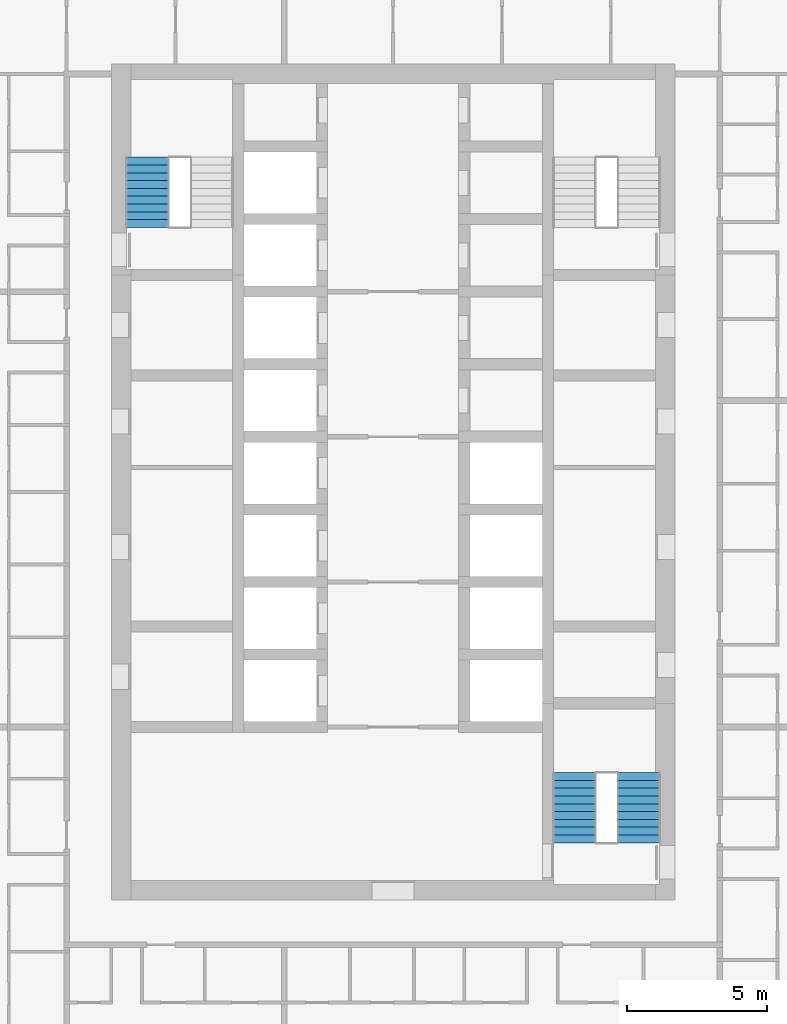
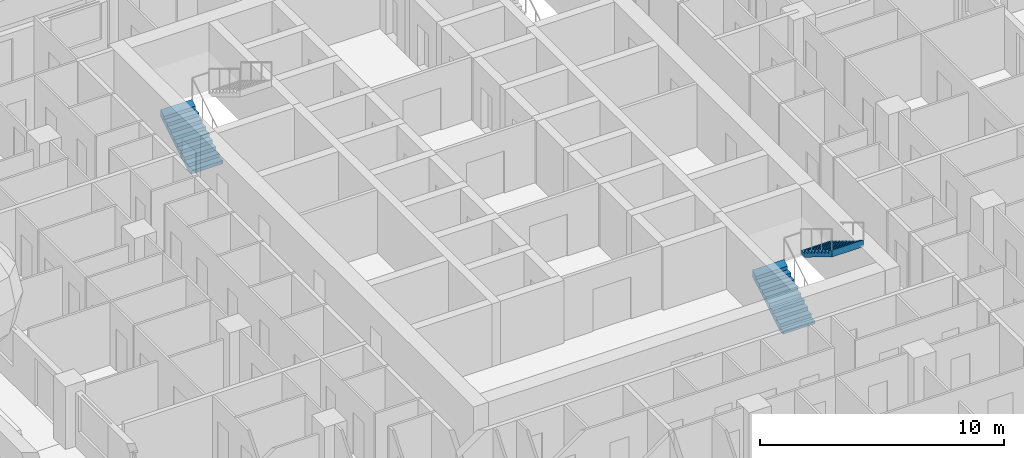
# One storey, part 14 of 18: 3 stair flights, 2 elements without a shape of their own.
"""IFC4 building model written with IfcOpenShell, lengths in metres."""

import ifcopenshell
import ifcopenshell.guid

model = None  # the IFC model being written
_history = None  # IfcOwnerHistory: only IFC2X3 demands one
_inside = {}  # id of a spatial element -> (the spatial element, [elements in it])
_under = {}  # id of a project, library or spatial element -> (it, [spatial elements below it])
_declared = {}  # id of a project -> (the project, [libraries it declares])
_typed = {}  # id of a type object -> (the type object, [elements of that type])
_made_of = {}  # id of a material, layer set ... -> (it, [elements and type objects made of it])


def new_model(schema):
    """Start an empty IFC model of exactly this schema.

    Asked for "IFC4X3", IfcOpenShell would pick the latest addendum, in which some entities
    have other attributes; the version numbers below select the first issue.
    IFC2X3 requires an IfcOwnerHistory on every rooted entity: one is made here for all.
    """
    global model, _history
    if schema == "IFC4X3":
        model = ifcopenshell.file(schema_version=(4, 3, 0, 0))
    else:
        model = ifcopenshell.file(schema=schema)
    _inside.clear()
    _under.clear()
    _declared.clear()
    _typed.clear()
    _made_of.clear()
    _history = None
    if model.schema == "IFC2X3":
        org = make("IfcOrganization", Name="unknown")
        user = make(
            "IfcPersonAndOrganization",
            ThePerson=make("IfcPerson", FamilyName="unknown"),
            TheOrganization=org,
        )
        app = make(
            "IfcApplication",
            ApplicationDeveloper=org,
            Version="unknown",
            ApplicationFullName="unknown",
            ApplicationIdentifier="unknown",
        )
        _history = make(
            "IfcOwnerHistory",
            OwningUser=user,
            OwningApplication=app,
            ChangeAction="ADDED",
            CreationDate=0,
        )
    return model


def make(cls, **values):
    """One entity of the class cls with the attributes given. An attribute that is None is left unset."""
    return model.create_entity(
        cls, **{name: value for name, value in values.items() if value is not None}
    )


def rooted(cls, **values):
    """An entity with a GlobalId (a new one), such as an element, a storey or a relation."""
    return make(cls, GlobalId=ifcopenshell.guid.new(), OwnerHistory=_history, **values)


def si_unit(unit_type, name, prefix=None):
    """IfcSIUnit, for example si_unit("LENGTHUNIT", "METRE", prefix="MILLI")."""
    return make("IfcSIUnit", UnitType=unit_type, Prefix=prefix, Name=name)


def assignment(units):
    """IfcUnitAssignment: the units of a project."""
    return None if units is None else make("IfcUnitAssignment", Units=units)


def point(xyz):
    """IfcCartesianPoint."""
    return None if xyz is None else make("IfcCartesianPoint", Coordinates=xyz)


def direction(xyz):
    """IfcDirection."""
    return None if xyz is None else make("IfcDirection", DirectionRatios=xyz)


def frame(location, z_axis=None, x_axis=None):
    """IfcAxis2Placement3D, a coordinate frame: its origin and axes. An axis left out is left unset."""
    return make(
        "IfcAxis2Placement3D",
        Location=point(location),
        Axis=direction(z_axis),
        RefDirection=direction(x_axis),
    )


def origin():
    """The frame at (0, 0, 0) with its axes left unset."""
    return frame((0.0, 0.0, 0.0))


def place(relative_to, where):
    """IfcLocalPlacement: puts the frame where relative to a parent placement (None: the world)."""
    return make(
        "IfcLocalPlacement", PlacementRelTo=relative_to, RelativePlacement=where
    )


def context(
    kind, dimensions, precision=None, world=None, true_north=None, identifier=None
):
    """IfcGeometricRepresentationContext, for example the 3D "Model" context."""
    return make(
        "IfcGeometricRepresentationContext",
        ContextIdentifier=identifier,
        ContextType=kind,
        CoordinateSpaceDimension=dimensions,
        Precision=precision,
        WorldCoordinateSystem=world,
        TrueNorth=true_north,
    )


def subcontext(parent, identifier, kind, view, scale=None):
    """IfcGeometricRepresentationSubContext, for example "Body" below "Model"."""
    return make(
        "IfcGeometricRepresentationSubContext",
        ContextIdentifier=identifier,
        ContextType=kind,
        ParentContext=parent,
        TargetScale=scale,
        TargetView=view,
    )


def project(units=None, contexts=None):
    """IfcProject with its units and contexts."""
    return rooted(
        "IfcProject",
        Name="project",
        RepresentationContexts=contexts,
        UnitsInContext=assignment(units),
    )


def spatial(cls, under=None, at=None, **own):
    """A site, building, storey or space (cls), placed at a placement, below another one or the project."""
    s = rooted(cls, ObjectPlacement=at, **own)
    if under is not None:
        _under.setdefault(under.id(), (under, []))[1].append(s)
    return s


def point_list(points):
    """IfcCartesianPointList2D or 3D."""
    cls = (
        "IfcCartesianPointList2D" if len(points[0]) == 2 else "IfcCartesianPointList3D"
    )
    return make(cls, CoordList=points)


def triangles(points, corners, closed=None, point_numbers=None):
    """IfcTriangulatedFaceSet: each triangle names its three corners, points numbered from 1."""
    return make(
        "IfcTriangulatedFaceSet",
        Coordinates=point_list(points),
        Closed=closed,
        CoordIndex=corners,
        PnIndex=point_numbers,
    )


def shape(context_of_items, identifier, shape_type, items):
    """IfcShapeRepresentation: the items that make up one representation, for example the "Body"."""
    return make(
        "IfcShapeRepresentation",
        ContextOfItems=context_of_items,
        RepresentationIdentifier=identifier,
        RepresentationType=shape_type,
        Items=items,
    )


def material(Name=None, Category=None):
    """IfcMaterial."""
    return make("IfcMaterial", Name=Name, Category=Category)


def made_of(thing, what):
    """Note that an element or type object is made of a material, layer set ...; save() writes the relation."""
    if what is not None:
        _made_of.setdefault(what.id(), (what, []))[1].append(thing)
    return thing


def type_object(cls, material=None, **own):
    """A type object (cls), such as IfcWallType, which elements share."""
    return made_of(rooted(cls, **own), material)


def element(
    cls,
    number,
    at=None,
    inside=None,
    cuts=None,
    type_object=None,
    material=None,
    context=None,
    identifier="Body",
    shape_type=None,
    held_by="IfcProductDefinitionShape",
    body=None,
    shapes=None,
    **own,
):
    """One element of the class cls, such as IfcWall. Its Tag is "e" and its number.

    at: its placement. inside: the storey or other place that contains it. cuts: it is an
    opening in that element (IfcRelVoidsElement). A single representation is given by context,
    identifier, shape_type and body (its items); several are given by shapes. held_by: the class
    of the entity that holds the representations. save() writes the other relations.
    """
    e = rooted(cls, Tag="e%d" % number, ObjectPlacement=at, **own)
    if body is not None:
        shapes = [shape(context, identifier, shape_type, body)]
    if shapes is not None:
        e.Representation = make(held_by, Representations=shapes)
    if inside is not None:
        _inside.setdefault(inside.id(), (inside, []))[1].append(e)
    if cuts is not None:
        rooted(
            "IfcRelVoidsElement", RelatingBuildingElement=cuts, RelatedOpeningElement=e
        )
    if type_object is not None:
        _typed.setdefault(type_object.id(), (type_object, []))[1].append(e)
    return made_of(e, material)


def aggregate(whole, parts):
    """IfcRelAggregates: a whole, such as a stair, and the parts it consists of."""
    return rooted("IfcRelAggregates", RelatingObject=whole, RelatedObjects=parts)


def save(model, path):
    """Write the relations noted so far, then the file.

    IfcRelAggregates (storeys below a building ...), IfcRelContainedInSpatialStructure (elements
    in a storey), IfcRelDefinesByType, IfcRelAssociatesMaterial and IfcRelDeclares: one each for
    every whole, place, type object, material and project.
    """
    for whole, parts in _under.values():
        aggregate(whole, parts)
    for where, things in _inside.values():
        rooted(
            "IfcRelContainedInSpatialStructure",
            RelatedElements=things,
            RelatingStructure=where,
        )
    for kind, things in _typed.values():
        rooted("IfcRelDefinesByType", RelatedObjects=things, RelatingType=kind)
    for what, things in _made_of.values():
        rooted("IfcRelAssociatesMaterial", RelatedObjects=things, RelatingMaterial=what)
    for by, libraries in _declared.values():
        rooted("IfcRelDeclares", RelatingContext=by, RelatedDefinitions=libraries)
    model.write(path)


model = new_model("IFC4")

# Units and contexts
model_context = context("Model", 3, precision=1e-05, world=origin(), true_north=direction((0.0, 1.0)))
body_context = subcontext(model_context, "Body", "Model", "MODEL_VIEW")
ifc_project = project(units=[si_unit("LENGTHUNIT", "METRE"), si_unit("AREAUNIT", "SQUARE_METRE"), si_unit("VOLUMEUNIT", "CUBIC_METRE"), si_unit("PLANEANGLEUNIT", "RADIAN"), si_unit("MASSUNIT", "GRAM", prefix="KILO")], contexts=[model_context])

# Site, building, storey
site_placement = place(None, origin())
site = spatial("IfcSite", under=ifc_project, at=site_placement, CompositionType="ELEMENT")
building_placement = place(site_placement, origin())
building = spatial("IfcBuilding", under=site, at=building_placement, Name="Ludao Terraces", CompositionType="ELEMENT")
storey_placement = place(building_placement, frame((0.0, 0.0, 58.0)))
storey = spatial("IfcBuildingStorey", under=building, at=storey_placement, Name="L15", CompositionType="ELEMENT", Elevation=58.0)

# Stair, stair flight
ifc_material = material(Name="Concrete C40", Category="concrete")
stair_type = type_object("IfcStairType", Name="INT Stair", PredefinedType="HALF_TURN_STAIR", material=ifc_material)
stair_1_placement = place(storey_placement, origin())
stair_1 = element("IfcStair", 1, at=stair_1_placement, inside=storey, type_object=stair_type, Name="EXIT STAIR 1", PredefinedType="HALF_TURN_STAIR")
stair_flight_type = type_object("IfcStairFlightType", Name="INT Stair flight", PredefinedType="STRAIGHT", material=ifc_material)
stair_flight_1_placement = place(storey_placement, frame((76.199951171875, 79.0, 0.0), z_axis=(0.0, 0.0, 1.0), x_axis=(0.0, 1.0, 0.0)))
stair_flight_1 = element("IfcStairFlight", 2, at=stair_flight_1_placement, type_object=stair_flight_type, Name="ST1 flight 1", NumberOfRisers=10, NumberOfTreads=9, PredefinedType="STRAIGHT", RiserHeight=0.17, TreadLength=0.28, context=body_context, shape_type="Tessellation", body=[
    triangles([(0.0, -0.75, 0.0), (0.0, -0.5, 0.0), (0.0, -0.25, 0.0), (0.0, 0.0, 0.0), (0.0, 0.25, 0.0), (0.0, 0.5, 0.0), (0.0, 0.75, 0.0), (0.0, -0.75, 0.169921875), (0.0, -0.5, 0.169921875), (0.0, -0.25, 0.169921875), (0.0, 0.0, 0.169921875), (0.0, 0.25, 0.169921875), (0.0, 0.5, 0.169921875), (0.0, 0.75, 0.169921875), (0.280029296875, -0.75, 0.169921875), (0.280029296875, -0.5, 0.169921875), (0.280029296875, -0.25, 0.169921875), (0.280029296875, 0.0, 0.169921875), (0.280029296875, 0.25, 0.169921875), (0.280029296875, 0.5, 0.169921875), (0.280029296875, 0.75, 0.169921875), (0.280029296875, -0.75, 0.340087890625), (0.280029296875, -0.5, 0.340087890625), (0.280029296875, -0.25, 0.340087890625), (0.280029296875, 0.0, 0.340087890625), (0.280029296875, 0.25, 0.340087890625), (0.280029296875, 0.5, 0.340087890625), (0.280029296875, 0.75, 0.340087890625), (0.56005859375, -0.75, 0.340087890625), (0.56005859375, -0.5, 0.340087890625), (0.56005859375, -0.25, 0.340087890625), (0.56005859375, 0.0, 0.340087890625), (0.56005859375, 0.25, 0.340087890625), (0.56005859375, 0.5, 0.340087890625), (0.56005859375, 0.75, 0.340087890625), (0.56005859375, -0.75, 0.510009765625), (0.56005859375, -0.5, 0.510009765625), (0.56005859375, -0.25, 0.510009765625), (0.56005859375, 0.0, 0.510009765625), (0.56005859375, 0.25, 0.510009765625), (0.56005859375, 0.5, 0.510009765625), (0.56005859375, 0.75, 0.510009765625), (0.840087890625, -0.75, 0.510009765625), (0.840087890625, -0.5, 0.510009765625), (0.840087890625, -0.25, 0.510009765625), (0.840087890625, 0.0, 0.510009765625), (0.840087890625, 0.25, 0.510009765625), (0.840087890625, 0.5, 0.510009765625), (0.840087890625, 0.75, 0.510009765625), (0.840087890625, -0.75, 0.679931640625), (0.840087890625, -0.5, 0.679931640625), (0.840087890625, -0.25, 0.679931640625), (0.840087890625, 0.0, 0.679931640625), (0.840087890625, 0.25, 0.679931640625), (0.840087890625, 0.5, 0.679931640625), (0.840087890625, 0.75, 0.679931640625), (1.1201171875, -0.75, 0.679931640625), (1.1201171875, -0.5, 0.679931640625), (1.1201171875, -0.25, 0.679931640625), (1.1201171875, 0.0, 0.679931640625), (1.1201171875, 0.25, 0.679931640625), (1.1201171875, 0.5, 0.679931640625), (1.1201171875, 0.75, 0.679931640625), (1.1201171875, -0.75, 0.85009765625), (1.1201171875, -0.5, 0.85009765625), (1.1201171875, -0.25, 0.85009765625), (1.1201171875, 0.0, 0.85009765625), (1.1201171875, 0.25, 0.85009765625), (1.1201171875, 0.5, 0.85009765625), (1.1201171875, 0.75, 0.85009765625), (1.39990234375, -0.75, 0.85009765625), (1.39990234375, -0.5, 0.85009765625), (1.39990234375, -0.25, 0.85009765625), (1.39990234375, 0.0, 0.85009765625), (1.39990234375, 0.25, 0.85009765625), (1.39990234375, 0.5, 0.85009765625), (1.39990234375, 0.75, 0.85009765625), (1.39990234375, -0.75, 1.02001953125), (1.39990234375, -0.5, 1.02001953125), (1.39990234375, -0.25, 1.02001953125), (1.39990234375, 0.0, 1.02001953125), (1.39990234375, 0.25, 1.02001953125), (1.39990234375, 0.5, 1.02001953125), (1.39990234375, 0.75, 1.02001953125), (1.679931640625, -0.75, 1.02001953125), (1.679931640625, -0.5, 1.02001953125), (1.679931640625, -0.25, 1.02001953125), (1.679931640625, 0.0, 1.02001953125), (1.679931640625, 0.25, 1.02001953125), (1.679931640625, 0.5, 1.02001953125), (1.679931640625, 0.75, 1.02001953125), (1.679931640625, -0.75, 1.18994140625), (1.679931640625, -0.5, 1.18994140625), (1.679931640625, -0.25, 1.18994140625), (1.679931640625, 0.0, 1.18994140625), (1.679931640625, 0.25, 1.18994140625), (1.679931640625, 0.5, 1.18994140625), (1.679931640625, 0.75, 1.18994140625), (1.9599609375, -0.75, 1.18994140625), (1.9599609375, -0.5, 1.18994140625), (1.9599609375, -0.25, 1.18994140625), (1.9599609375, 0.0, 1.18994140625), (1.9599609375, 0.25, 1.18994140625), (1.9599609375, 0.5, 1.18994140625), (1.9599609375, 0.75, 1.18994140625), (1.9599609375, -0.75, 1.360107421875), (1.9599609375, -0.5, 1.360107421875), (1.9599609375, -0.25, 1.360107421875), (1.9599609375, 0.0, 1.360107421875), (1.9599609375, 0.25, 1.360107421875), (1.9599609375, 0.5, 1.360107421875), (1.9599609375, 0.75, 1.360107421875), (2.239990234375, -0.75, 1.360107421875), (2.239990234375, -0.5, 1.360107421875), (2.239990234375, -0.25, 1.360107421875), (2.239990234375, 0.0, 1.360107421875), (2.239990234375, 0.25, 1.360107421875), (2.239990234375, 0.5, 1.360107421875), (2.239990234375, 0.75, 1.360107421875), (2.239990234375, -0.75, 1.530029296875), (2.239990234375, -0.5, 1.530029296875), (2.239990234375, -0.25, 1.530029296875), (2.239990234375, 0.0, 1.530029296875), (2.239990234375, 0.25, 1.530029296875), (2.239990234375, 0.5, 1.530029296875), (2.239990234375, 0.75, 1.530029296875), (2.52001953125, -0.75, 1.699951171875), (2.52001953125, -0.5, 1.699951171875), (2.52001953125, -0.25, 1.699951171875), (2.52001953125, 0.0, 1.699951171875), (2.52001953125, 0.25, 1.699951171875), (2.52001953125, 0.5, 1.699951171875), (2.52001953125, 0.75, 1.699951171875), (2.52001953125, -0.75, 1.354736328125), (2.52001953125, -0.5, 1.354736328125), (2.52001953125, -0.25, 1.354736328125), (2.52001953125, 0.0, 1.354736328125), (2.52001953125, 0.25, 1.354736328125), (2.52001953125, 0.5, 1.354736328125), (2.52001953125, 0.75, 1.354736328125), (0.288818359375, -0.75, 0.0), (0.288818359375, -0.5, 0.0), (0.288818359375, -0.25, 0.0), (0.288818359375, 0.0, 0.0), (0.288818359375, 0.25, 0.0), (0.288818359375, 0.5, 0.0), (0.288818359375, 0.75, 0.0)], [[1, 141, 134], [7, 140, 147], [134, 127, 120], [140, 126, 133], [134, 120, 113], [140, 119, 126], [134, 113, 106], [140, 112, 119], [134, 106, 99], [140, 105, 112], [99, 92, 85], [105, 91, 98], [134, 99, 85], [140, 91, 105], [85, 78, 71], [91, 77, 84], [134, 85, 71], [140, 77, 91], [71, 64, 57], [77, 63, 70], [134, 71, 57], [140, 63, 77], [57, 50, 43], [63, 49, 56], [134, 57, 43], [140, 49, 63], [43, 36, 29], [49, 35, 42], [134, 43, 29], [140, 35, 49], [29, 22, 15], [35, 21, 28], [134, 29, 15], [140, 21, 35], [1, 134, 15], [7, 21, 140], [15, 8, 1], [21, 7, 14], [1, 9, 2], [1, 8, 9], [2, 10, 3], [2, 9, 10], [3, 11, 4], [3, 10, 11], [4, 12, 5], [4, 11, 12], [5, 13, 6], [5, 12, 13], [6, 14, 7], [6, 13, 14], [8, 16, 9], [8, 15, 16], [9, 17, 10], [9, 16, 17], [10, 18, 11], [10, 17, 18], [11, 19, 12], [11, 18, 19], [12, 20, 13], [12, 19, 20], [13, 21, 14], [13, 20, 21], [15, 23, 16], [15, 22, 23], [16, 24, 17], [16, 23, 24], [17, 25, 18], [17, 24, 25], [18, 26, 19], [18, 25, 26], [19, 27, 20], [19, 26, 27], [20, 28, 21], [20, 27, 28], [22, 30, 23], [22, 29, 30], [23, 31, 24], [23, 30, 31], [24, 32, 25], [24, 31, 32], [25, 33, 26], [25, 32, 33], [26, 34, 27], [26, 33, 34], [27, 35, 28], [27, 34, 35], [29, 37, 30], [29, 36, 37], [30, 38, 31], [30, 37, 38], [31, 39, 32], [31, 38, 39], [32, 40, 33], [32, 39, 40], [33, 41, 34], [33, 40, 41], [34, 42, 35], [34, 41, 42], [36, 44, 37], [36, 43, 44], [37, 45, 38], [37, 44, 45], [38, 46, 39], [38, 45, 46], [39, 47, 40], [39, 46, 47], [40, 48, 41], [40, 47, 48], [41, 49, 42], [41, 48, 49], [43, 51, 44], [43, 50, 51], [44, 52, 45], [44, 51, 52], [45, 53, 46], [45, 52, 53], [46, 54, 47], [46, 53, 54], [47, 55, 48], [47, 54, 55], [48, 56, 49], [48, 55, 56], [50, 58, 51], [50, 57, 58], [51, 59, 52], [51, 58, 59], [52, 60, 53], [52, 59, 60], [53, 61, 54], [53, 60, 61], [54, 62, 55], [54, 61, 62], [55, 63, 56], [55, 62, 63], [57, 65, 58], [57, 64, 65], [58, 66, 59], [58, 65, 66], [59, 67, 60], [59, 66, 67], [60, 68, 61], [60, 67, 68], [61, 69, 62], [61, 68, 69], [62, 70, 63], [62, 69, 70], [64, 72, 65], [64, 71, 72], [65, 73, 66], [65, 72, 73], [66, 74, 67], [66, 73, 74], [67, 75, 68], [67, 74, 75], [68, 76, 69], [68, 75, 76], [69, 77, 70], [69, 76, 77], [71, 79, 72], [71, 78, 79], [72, 80, 73], [72, 79, 80], [73, 81, 74], [73, 80, 81], [74, 82, 75], [74, 81, 82], [75, 83, 76], [75, 82, 83], [76, 84, 77], [76, 83, 84], [78, 86, 79], [78, 85, 86], [79, 87, 80], [79, 86, 87], [80, 88, 81], [80, 87, 88], [81, 89, 82], [81, 88, 89], [82, 90, 83], [82, 89, 90], [83, 91, 84], [83, 90, 91], [85, 93, 86], [85, 92, 93], [86, 94, 87], [86, 93, 94], [87, 95, 88], [87, 94, 95], [88, 96, 89], [88, 95, 96], [89, 97, 90], [89, 96, 97], [90, 98, 91], [90, 97, 98], [92, 100, 93], [92, 99, 100], [93, 101, 94], [93, 100, 101], [94, 102, 95], [94, 101, 102], [95, 103, 96], [95, 102, 103], [96, 104, 97], [96, 103, 104], [97, 105, 98], [97, 104, 105], [99, 107, 100], [99, 106, 107], [100, 108, 101], [100, 107, 108], [101, 109, 102], [101, 108, 109], [102, 110, 103], [102, 109, 110], [103, 111, 104], [103, 110, 111], [104, 112, 105], [104, 111, 112], [106, 114, 107], [106, 113, 114], [107, 115, 108], [107, 114, 115], [108, 116, 109], [108, 115, 116], [109, 117, 110], [109, 116, 117], [110, 118, 111], [110, 117, 118], [111, 119, 112], [111, 118, 119], [113, 121, 114], [113, 120, 121], [114, 122, 115], [114, 121, 122], [115, 123, 116], [115, 122, 123], [116, 124, 117], [116, 123, 124], [117, 125, 118], [117, 124, 125], [118, 126, 119], [118, 125, 126], [120, 128, 121], [120, 127, 128], [121, 129, 122], [121, 128, 129], [122, 130, 123], [122, 129, 130], [123, 131, 124], [123, 130, 131], [124, 132, 125], [124, 131, 132], [125, 133, 126], [125, 132, 133], [127, 135, 128], [127, 134, 135], [128, 136, 129], [128, 135, 136], [129, 137, 130], [129, 136, 137], [130, 138, 131], [130, 137, 138], [131, 139, 132], [131, 138, 139], [132, 140, 133], [132, 139, 140], [134, 142, 135], [134, 141, 142], [135, 143, 136], [135, 142, 143], [136, 144, 137], [136, 143, 144], [137, 145, 138], [137, 144, 145], [138, 146, 139], [138, 145, 146], [139, 147, 140], [139, 146, 147], [141, 2, 142], [141, 1, 2], [142, 3, 143], [142, 2, 3], [143, 4, 144], [143, 3, 4], [144, 5, 145], [144, 4, 5], [145, 6, 146], [145, 5, 6], [146, 7, 147], [146, 6, 7]], closed=True),
])
aggregate(stair_1, [stair_flight_1])

# Stair, stair flights
stair_2_placement = place(storey_placement, origin())
stair_2 = element("IfcStair", 3, at=stair_2_placement, inside=storey, type_object=stair_type, Name="EXIT STAIR 3", PredefinedType="HALF_TURN_STAIR")
stair_flight_2_placement = place(storey_placement, frame((91.5, 56.949951171875, 0.0), z_axis=(0.0, 0.0, 1.0), x_axis=(0.0, 1.0, 0.0)))
stair_flight_2 = element("IfcStairFlight", 4, at=stair_flight_2_placement, type_object=stair_flight_type, Name="ST3 flight 1", NumberOfRisers=10, NumberOfTreads=9, PredefinedType="STRAIGHT", RiserHeight=0.17, TreadLength=0.28, context=body_context, shape_type="Tessellation", body=[
    triangles([(0.0, -0.75, 0.0), (0.0, -0.5, 0.0), (0.0, -0.25, 0.0), (0.0, 0.0, 0.0), (0.0, 0.25, 0.0), (0.0, 0.5, 0.0), (0.0, 0.75, 0.0), (0.0, -0.75, 0.169921875), (0.0, -0.5, 0.169921875), (0.0, -0.25, 0.169921875), (0.0, 0.0, 0.169921875), (0.0, 0.25, 0.169921875), (0.0, 0.5, 0.169921875), (0.0, 0.75, 0.169921875), (0.280029296875, -0.75, 0.169921875), (0.280029296875, -0.5, 0.169921875), (0.280029296875, -0.25, 0.169921875), (0.280029296875, 0.0, 0.169921875), (0.280029296875, 0.25, 0.169921875), (0.280029296875, 0.5, 0.169921875), (0.280029296875, 0.75, 0.169921875), (0.280029296875, -0.75, 0.340087890625), (0.280029296875, -0.5, 0.340087890625), (0.280029296875, -0.25, 0.340087890625), (0.280029296875, 0.0, 0.340087890625), (0.280029296875, 0.25, 0.340087890625), (0.280029296875, 0.5, 0.340087890625), (0.280029296875, 0.75, 0.340087890625), (0.56005859375, -0.75, 0.340087890625), (0.56005859375, -0.5, 0.340087890625), (0.56005859375, -0.25, 0.340087890625), (0.56005859375, 0.0, 0.340087890625), (0.56005859375, 0.25, 0.340087890625), (0.56005859375, 0.5, 0.340087890625), (0.56005859375, 0.75, 0.340087890625), (0.56005859375, -0.75, 0.510009765625), (0.56005859375, -0.5, 0.510009765625), (0.56005859375, -0.25, 0.510009765625), (0.56005859375, 0.0, 0.510009765625), (0.56005859375, 0.25, 0.510009765625), (0.56005859375, 0.5, 0.510009765625), (0.56005859375, 0.75, 0.510009765625), (0.840087890625, -0.75, 0.510009765625), (0.840087890625, -0.5, 0.510009765625), (0.840087890625, -0.25, 0.510009765625), (0.840087890625, 0.0, 0.510009765625), (0.840087890625, 0.25, 0.510009765625), (0.840087890625, 0.5, 0.510009765625), (0.840087890625, 0.75, 0.510009765625), (0.840087890625, -0.75, 0.679931640625), (0.840087890625, -0.5, 0.679931640625), (0.840087890625, -0.25, 0.679931640625), (0.840087890625, 0.0, 0.679931640625), (0.840087890625, 0.25, 0.679931640625), (0.840087890625, 0.5, 0.679931640625), (0.840087890625, 0.75, 0.679931640625), (1.1201171875, -0.75, 0.679931640625), (1.1201171875, -0.5, 0.679931640625), (1.1201171875, -0.25, 0.679931640625), (1.1201171875, 0.0, 0.679931640625), (1.1201171875, 0.25, 0.679931640625), (1.1201171875, 0.5, 0.679931640625), (1.1201171875, 0.75, 0.679931640625), (1.1201171875, -0.75, 0.85009765625), (1.1201171875, -0.5, 0.85009765625), (1.1201171875, -0.25, 0.85009765625), (1.1201171875, 0.0, 0.85009765625), (1.1201171875, 0.25, 0.85009765625), (1.1201171875, 0.5, 0.85009765625), (1.1201171875, 0.75, 0.85009765625), (1.39990234375, -0.75, 0.85009765625), (1.39990234375, -0.5, 0.85009765625), (1.39990234375, -0.25, 0.85009765625), (1.39990234375, 0.0, 0.85009765625), (1.39990234375, 0.25, 0.85009765625), (1.39990234375, 0.5, 0.85009765625), (1.39990234375, 0.75, 0.85009765625), (1.39990234375, -0.75, 1.02001953125), (1.39990234375, -0.5, 1.02001953125), (1.39990234375, -0.25, 1.02001953125), (1.39990234375, 0.0, 1.02001953125), (1.39990234375, 0.25, 1.02001953125), (1.39990234375, 0.5, 1.02001953125), (1.39990234375, 0.75, 1.02001953125), (1.679931640625, -0.75, 1.02001953125), (1.679931640625, -0.5, 1.02001953125), (1.679931640625, -0.25, 1.02001953125), (1.679931640625, 0.0, 1.02001953125), (1.679931640625, 0.25, 1.02001953125), (1.679931640625, 0.5, 1.02001953125), (1.679931640625, 0.75, 1.02001953125), (1.679931640625, -0.75, 1.18994140625), (1.679931640625, -0.5, 1.18994140625), (1.679931640625, -0.25, 1.18994140625), (1.679931640625, 0.0, 1.18994140625), (1.679931640625, 0.25, 1.18994140625), (1.679931640625, 0.5, 1.18994140625), (1.679931640625, 0.75, 1.18994140625), (1.9599609375, -0.75, 1.18994140625), (1.9599609375, -0.5, 1.18994140625), (1.9599609375, -0.25, 1.18994140625), (1.9599609375, 0.0, 1.18994140625), (1.9599609375, 0.25, 1.18994140625), (1.9599609375, 0.5, 1.18994140625), (1.9599609375, 0.75, 1.18994140625), (1.9599609375, -0.75, 1.360107421875), (1.9599609375, -0.5, 1.360107421875), (1.9599609375, -0.25, 1.360107421875), (1.9599609375, 0.0, 1.360107421875), (1.9599609375, 0.25, 1.360107421875), (1.9599609375, 0.5, 1.360107421875), (1.9599609375, 0.75, 1.360107421875), (2.239990234375, -0.75, 1.360107421875), (2.239990234375, -0.5, 1.360107421875), (2.239990234375, -0.25, 1.360107421875), (2.239990234375, 0.0, 1.360107421875), (2.239990234375, 0.25, 1.360107421875), (2.239990234375, 0.5, 1.360107421875), (2.239990234375, 0.75, 1.360107421875), (2.239990234375, -0.75, 1.530029296875), (2.239990234375, -0.5, 1.530029296875), (2.239990234375, -0.25, 1.530029296875), (2.239990234375, 0.0, 1.530029296875), (2.239990234375, 0.25, 1.530029296875), (2.239990234375, 0.5, 1.530029296875), (2.239990234375, 0.75, 1.530029296875), (2.52001953125, -0.75, 1.699951171875), (2.52001953125, -0.5, 1.699951171875), (2.52001953125, -0.25, 1.699951171875), (2.52001953125, 0.0, 1.699951171875), (2.52001953125, 0.25, 1.699951171875), (2.52001953125, 0.5, 1.699951171875), (2.52001953125, 0.75, 1.699951171875), (2.52001953125, -0.75, 1.354736328125), (2.52001953125, -0.5, 1.354736328125), (2.52001953125, -0.25, 1.354736328125), (2.52001953125, 0.0, 1.354736328125), (2.52001953125, 0.25, 1.354736328125), (2.52001953125, 0.5, 1.354736328125), (2.52001953125, 0.75, 1.354736328125), (0.288818359375, -0.75, 0.0), (0.288818359375, -0.5, 0.0), (0.288818359375, -0.25, 0.0), (0.288818359375, 0.0, 0.0), (0.288818359375, 0.25, 0.0), (0.288818359375, 0.5, 0.0), (0.288818359375, 0.75, 0.0)], [[1, 141, 134], [7, 140, 147], [134, 127, 120], [140, 126, 133], [134, 120, 113], [140, 119, 126], [134, 113, 106], [140, 112, 119], [134, 106, 99], [140, 105, 112], [99, 92, 85], [105, 91, 98], [134, 99, 85], [140, 91, 105], [85, 78, 71], [91, 77, 84], [134, 85, 71], [140, 77, 91], [71, 64, 57], [77, 63, 70], [134, 71, 57], [140, 63, 77], [57, 50, 43], [63, 49, 56], [134, 57, 43], [140, 49, 63], [43, 36, 29], [49, 35, 42], [134, 43, 29], [140, 35, 49], [29, 22, 15], [35, 21, 28], [134, 29, 15], [140, 21, 35], [1, 134, 15], [7, 21, 140], [15, 8, 1], [21, 7, 14], [1, 9, 2], [1, 8, 9], [2, 10, 3], [2, 9, 10], [3, 11, 4], [3, 10, 11], [4, 12, 5], [4, 11, 12], [5, 13, 6], [5, 12, 13], [6, 14, 7], [6, 13, 14], [8, 16, 9], [8, 15, 16], [9, 17, 10], [9, 16, 17], [10, 18, 11], [10, 17, 18], [11, 19, 12], [11, 18, 19], [12, 20, 13], [12, 19, 20], [13, 21, 14], [13, 20, 21], [15, 23, 16], [15, 22, 23], [16, 24, 17], [16, 23, 24], [17, 25, 18], [17, 24, 25], [18, 26, 19], [18, 25, 26], [19, 27, 20], [19, 26, 27], [20, 28, 21], [20, 27, 28], [22, 30, 23], [22, 29, 30], [23, 31, 24], [23, 30, 31], [24, 32, 25], [24, 31, 32], [25, 33, 26], [25, 32, 33], [26, 34, 27], [26, 33, 34], [27, 35, 28], [27, 34, 35], [29, 37, 30], [29, 36, 37], [30, 38, 31], [30, 37, 38], [31, 39, 32], [31, 38, 39], [32, 40, 33], [32, 39, 40], [33, 41, 34], [33, 40, 41], [34, 42, 35], [34, 41, 42], [36, 44, 37], [36, 43, 44], [37, 45, 38], [37, 44, 45], [38, 46, 39], [38, 45, 46], [39, 47, 40], [39, 46, 47], [40, 48, 41], [40, 47, 48], [41, 49, 42], [41, 48, 49], [43, 51, 44], [43, 50, 51], [44, 52, 45], [44, 51, 52], [45, 53, 46], [45, 52, 53], [46, 54, 47], [46, 53, 54], [47, 55, 48], [47, 54, 55], [48, 56, 49], [48, 55, 56], [50, 58, 51], [50, 57, 58], [51, 59, 52], [51, 58, 59], [52, 60, 53], [52, 59, 60], [53, 61, 54], [53, 60, 61], [54, 62, 55], [54, 61, 62], [55, 63, 56], [55, 62, 63], [57, 65, 58], [57, 64, 65], [58, 66, 59], [58, 65, 66], [59, 67, 60], [59, 66, 67], [60, 68, 61], [60, 67, 68], [61, 69, 62], [61, 68, 69], [62, 70, 63], [62, 69, 70], [64, 72, 65], [64, 71, 72], [65, 73, 66], [65, 72, 73], [66, 74, 67], [66, 73, 74], [67, 75, 68], [67, 74, 75], [68, 76, 69], [68, 75, 76], [69, 77, 70], [69, 76, 77], [71, 79, 72], [71, 78, 79], [72, 80, 73], [72, 79, 80], [73, 81, 74], [73, 80, 81], [74, 82, 75], [74, 81, 82], [75, 83, 76], [75, 82, 83], [76, 84, 77], [76, 83, 84], [78, 86, 79], [78, 85, 86], [79, 87, 80], [79, 86, 87], [80, 88, 81], [80, 87, 88], [81, 89, 82], [81, 88, 89], [82, 90, 83], [82, 89, 90], [83, 91, 84], [83, 90, 91], [85, 93, 86], [85, 92, 93], [86, 94, 87], [86, 93, 94], [87, 95, 88], [87, 94, 95], [88, 96, 89], [88, 95, 96], [89, 97, 90], [89, 96, 97], [90, 98, 91], [90, 97, 98], [92, 100, 93], [92, 99, 100], [93, 101, 94], [93, 100, 101], [94, 102, 95], [94, 101, 102], [95, 103, 96], [95, 102, 103], [96, 104, 97], [96, 103, 104], [97, 105, 98], [97, 104, 105], [99, 107, 100], [99, 106, 107], [100, 108, 101], [100, 107, 108], [101, 109, 102], [101, 108, 109], [102, 110, 103], [102, 109, 110], [103, 111, 104], [103, 110, 111], [104, 112, 105], [104, 111, 112], [106, 114, 107], [106, 113, 114], [107, 115, 108], [107, 114, 115], [108, 116, 109], [108, 115, 116], [109, 117, 110], [109, 116, 117], [110, 118, 111], [110, 117, 118], [111, 119, 112], [111, 118, 119], [113, 121, 114], [113, 120, 121], [114, 122, 115], [114, 121, 122], [115, 123, 116], [115, 122, 123], [116, 124, 117], [116, 123, 124], [117, 125, 118], [117, 124, 125], [118, 126, 119], [118, 125, 126], [120, 128, 121], [120, 127, 128], [121, 129, 122], [121, 128, 129], [122, 130, 123], [122, 129, 130], [123, 131, 124], [123, 130, 131], [124, 132, 125], [124, 131, 132], [125, 133, 126], [125, 132, 133], [127, 135, 128], [127, 134, 135], [128, 136, 129], [128, 135, 136], [129, 137, 130], [129, 136, 137], [130, 138, 131], [130, 137, 138], [131, 139, 132], [131, 138, 139], [132, 140, 133], [132, 139, 140], [134, 142, 135], [134, 141, 142], [135, 143, 136], [135, 142, 143], [136, 144, 137], [136, 143, 144], [137, 145, 138], [137, 144, 145], [138, 146, 139], [138, 145, 146], [139, 147, 140], [139, 146, 147], [141, 2, 142], [141, 1, 2], [142, 3, 143], [142, 2, 3], [143, 4, 144], [143, 3, 4], [144, 5, 145], [144, 4, 5], [145, 6, 146], [145, 5, 6], [146, 7, 147], [146, 6, 7]], closed=True),
])
stair_flight_3_placement = place(storey_placement, frame((93.800048828125, 59.469970703125, 1.699951171875), z_axis=(0.0, 0.0, 1.0), x_axis=(0.0, -1.0, 0.0)))
stair_flight_3 = element("IfcStairFlight", 5, at=stair_flight_3_placement, type_object=stair_flight_type, Name="ST3 flight 2", NumberOfRisers=10, NumberOfTreads=9, PredefinedType="STRAIGHT", RiserHeight=0.17, TreadLength=0.28, context=body_context, shape_type="Tessellation", body=[
    triangles([(0.0, -0.75, 0.0), (0.0, -0.5, 0.0), (0.0, -0.25, 0.0), (0.0, 0.0, 0.0), (0.0, 0.25, 0.0), (0.0, 0.5, 0.0), (0.0, 0.75, 0.0), (0.0, -0.75, 0.169921875), (0.0, -0.5, 0.169921875), (0.0, -0.25, 0.169921875), (0.0, 0.0, 0.169921875), (0.0, 0.25, 0.169921875), (0.0, 0.5, 0.169921875), (0.0, 0.75, 0.169921875), (0.280029296875, -0.75, 0.169921875), (0.280029296875, -0.5, 0.169921875), (0.280029296875, -0.25, 0.169921875), (0.280029296875, 0.0, 0.169921875), (0.280029296875, 0.25, 0.169921875), (0.280029296875, 0.5, 0.169921875), (0.280029296875, 0.75, 0.169921875), (0.280029296875, -0.75, 0.340087890625), (0.280029296875, -0.5, 0.340087890625), (0.280029296875, -0.25, 0.340087890625), (0.280029296875, 0.0, 0.340087890625), (0.280029296875, 0.25, 0.340087890625), (0.280029296875, 0.5, 0.340087890625), (0.280029296875, 0.75, 0.340087890625), (0.56005859375, -0.75, 0.340087890625), (0.56005859375, -0.5, 0.340087890625), (0.56005859375, -0.25, 0.340087890625), (0.56005859375, 0.0, 0.340087890625), (0.56005859375, 0.25, 0.340087890625), (0.56005859375, 0.5, 0.340087890625), (0.56005859375, 0.75, 0.340087890625), (0.56005859375, -0.75, 0.510009765625), (0.56005859375, -0.5, 0.510009765625), (0.56005859375, -0.25, 0.510009765625), (0.56005859375, 0.0, 0.510009765625), (0.56005859375, 0.25, 0.510009765625), (0.56005859375, 0.5, 0.510009765625), (0.56005859375, 0.75, 0.510009765625), (0.840087890625, -0.75, 0.510009765625), (0.840087890625, -0.5, 0.510009765625), (0.840087890625, -0.25, 0.510009765625), (0.840087890625, 0.0, 0.510009765625), (0.840087890625, 0.25, 0.510009765625), (0.840087890625, 0.5, 0.510009765625), (0.840087890625, 0.75, 0.510009765625), (0.840087890625, -0.75, 0.679931640625), (0.840087890625, -0.5, 0.679931640625), (0.840087890625, -0.25, 0.679931640625), (0.840087890625, 0.0, 0.679931640625), (0.840087890625, 0.25, 0.679931640625), (0.840087890625, 0.5, 0.679931640625), (0.840087890625, 0.75, 0.679931640625), (1.1201171875, -0.75, 0.679931640625), (1.1201171875, -0.5, 0.679931640625), (1.1201171875, -0.25, 0.679931640625), (1.1201171875, 0.0, 0.679931640625), (1.1201171875, 0.25, 0.679931640625), (1.1201171875, 0.5, 0.679931640625), (1.1201171875, 0.75, 0.679931640625), (1.1201171875, -0.75, 0.85009765625), (1.1201171875, -0.5, 0.85009765625), (1.1201171875, -0.25, 0.85009765625), (1.1201171875, 0.0, 0.85009765625), (1.1201171875, 0.25, 0.85009765625), (1.1201171875, 0.5, 0.85009765625), (1.1201171875, 0.75, 0.85009765625), (1.39990234375, -0.75, 0.85009765625), (1.39990234375, -0.5, 0.85009765625), (1.39990234375, -0.25, 0.85009765625), (1.39990234375, 0.0, 0.85009765625), (1.39990234375, 0.25, 0.85009765625), (1.39990234375, 0.5, 0.85009765625), (1.39990234375, 0.75, 0.85009765625), (1.39990234375, -0.75, 1.02001953125), (1.39990234375, -0.5, 1.02001953125), (1.39990234375, -0.25, 1.02001953125), (1.39990234375, 0.0, 1.02001953125), (1.39990234375, 0.25, 1.02001953125), (1.39990234375, 0.5, 1.02001953125), (1.39990234375, 0.75, 1.02001953125), (1.679931640625, -0.75, 1.02001953125), (1.679931640625, -0.5, 1.02001953125), (1.679931640625, -0.25, 1.02001953125), (1.679931640625, 0.0, 1.02001953125), (1.679931640625, 0.25, 1.02001953125), (1.679931640625, 0.5, 1.02001953125), (1.679931640625, 0.75, 1.02001953125), (1.679931640625, -0.75, 1.18994140625), (1.679931640625, -0.5, 1.18994140625), (1.679931640625, -0.25, 1.18994140625), (1.679931640625, 0.0, 1.18994140625), (1.679931640625, 0.25, 1.18994140625), (1.679931640625, 0.5, 1.18994140625), (1.679931640625, 0.75, 1.18994140625), (1.9599609375, -0.75, 1.18994140625), (1.9599609375, -0.5, 1.18994140625), (1.9599609375, -0.25, 1.18994140625), (1.9599609375, 0.0, 1.18994140625), (1.9599609375, 0.25, 1.18994140625), (1.9599609375, 0.5, 1.18994140625), (1.9599609375, 0.75, 1.18994140625), (1.9599609375, -0.75, 1.360107421875), (1.9599609375, -0.5, 1.360107421875), (1.9599609375, -0.25, 1.360107421875), (1.9599609375, 0.0, 1.360107421875), (1.9599609375, 0.25, 1.360107421875), (1.9599609375, 0.5, 1.360107421875), (1.9599609375, 0.75, 1.360107421875), (2.239990234375, -0.75, 1.360107421875), (2.239990234375, -0.5, 1.360107421875), (2.239990234375, -0.25, 1.360107421875), (2.239990234375, 0.0, 1.360107421875), (2.239990234375, 0.25, 1.360107421875), (2.239990234375, 0.5, 1.360107421875), (2.239990234375, 0.75, 1.360107421875), (2.239990234375, -0.75, 1.530029296875), (2.239990234375, -0.5, 1.530029296875), (2.239990234375, -0.25, 1.530029296875), (2.239990234375, 0.0, 1.530029296875), (2.239990234375, 0.25, 1.530029296875), (2.239990234375, 0.5, 1.530029296875), (2.239990234375, 0.75, 1.530029296875), (2.52001953125, -0.75, 1.699951171875), (2.52001953125, -0.5, 1.699951171875), (2.52001953125, -0.25, 1.699951171875), (2.52001953125, 0.0, 1.699951171875), (2.52001953125, 0.25, 1.699951171875), (2.52001953125, 0.5, 1.699951171875), (2.52001953125, 0.75, 1.699951171875), (2.52001953125, -0.75, 1.354736328125), (2.52001953125, -0.5, 1.354736328125), (2.52001953125, -0.25, 1.354736328125), (2.52001953125, 0.0, 1.354736328125), (2.52001953125, 0.25, 1.354736328125), (2.52001953125, 0.5, 1.354736328125), (2.52001953125, 0.75, 1.354736328125), (0.288818359375, -0.75, 0.0), (0.288818359375, -0.5, 0.0), (0.288818359375, -0.25, 0.0), (0.288818359375, 0.0, 0.0), (0.288818359375, 0.25, 0.0), (0.288818359375, 0.5, 0.0), (0.288818359375, 0.75, 0.0)], [[1, 141, 134], [7, 140, 147], [134, 127, 120], [140, 126, 133], [134, 120, 113], [140, 119, 126], [134, 113, 106], [140, 112, 119], [134, 106, 99], [140, 105, 112], [99, 92, 85], [105, 91, 98], [134, 99, 85], [140, 91, 105], [85, 78, 71], [91, 77, 84], [134, 85, 71], [140, 77, 91], [71, 64, 57], [77, 63, 70], [134, 71, 57], [140, 63, 77], [57, 50, 43], [63, 49, 56], [134, 57, 43], [140, 49, 63], [43, 36, 29], [49, 35, 42], [134, 43, 29], [140, 35, 49], [29, 22, 15], [35, 21, 28], [134, 29, 15], [140, 21, 35], [1, 134, 15], [7, 21, 140], [15, 8, 1], [21, 7, 14], [1, 9, 2], [1, 8, 9], [2, 10, 3], [2, 9, 10], [3, 11, 4], [3, 10, 11], [4, 12, 5], [4, 11, 12], [5, 13, 6], [5, 12, 13], [6, 14, 7], [6, 13, 14], [8, 16, 9], [8, 15, 16], [9, 17, 10], [9, 16, 17], [10, 18, 11], [10, 17, 18], [11, 19, 12], [11, 18, 19], [12, 20, 13], [12, 19, 20], [13, 21, 14], [13, 20, 21], [15, 23, 16], [15, 22, 23], [16, 24, 17], [16, 23, 24], [17, 25, 18], [17, 24, 25], [18, 26, 19], [18, 25, 26], [19, 27, 20], [19, 26, 27], [20, 28, 21], [20, 27, 28], [22, 30, 23], [22, 29, 30], [23, 31, 24], [23, 30, 31], [24, 32, 25], [24, 31, 32], [25, 33, 26], [25, 32, 33], [26, 34, 27], [26, 33, 34], [27, 35, 28], [27, 34, 35], [29, 37, 30], [29, 36, 37], [30, 38, 31], [30, 37, 38], [31, 39, 32], [31, 38, 39], [32, 40, 33], [32, 39, 40], [33, 41, 34], [33, 40, 41], [34, 42, 35], [34, 41, 42], [36, 44, 37], [36, 43, 44], [37, 45, 38], [37, 44, 45], [38, 46, 39], [38, 45, 46], [39, 47, 40], [39, 46, 47], [40, 48, 41], [40, 47, 48], [41, 49, 42], [41, 48, 49], [43, 51, 44], [43, 50, 51], [44, 52, 45], [44, 51, 52], [45, 53, 46], [45, 52, 53], [46, 54, 47], [46, 53, 54], [47, 55, 48], [47, 54, 55], [48, 56, 49], [48, 55, 56], [50, 58, 51], [50, 57, 58], [51, 59, 52], [51, 58, 59], [52, 60, 53], [52, 59, 60], [53, 61, 54], [53, 60, 61], [54, 62, 55], [54, 61, 62], [55, 63, 56], [55, 62, 63], [57, 65, 58], [57, 64, 65], [58, 66, 59], [58, 65, 66], [59, 67, 60], [59, 66, 67], [60, 68, 61], [60, 67, 68], [61, 69, 62], [61, 68, 69], [62, 70, 63], [62, 69, 70], [64, 72, 65], [64, 71, 72], [65, 73, 66], [65, 72, 73], [66, 74, 67], [66, 73, 74], [67, 75, 68], [67, 74, 75], [68, 76, 69], [68, 75, 76], [69, 77, 70], [69, 76, 77], [71, 79, 72], [71, 78, 79], [72, 80, 73], [72, 79, 80], [73, 81, 74], [73, 80, 81], [74, 82, 75], [74, 81, 82], [75, 83, 76], [75, 82, 83], [76, 84, 77], [76, 83, 84], [78, 86, 79], [78, 85, 86], [79, 87, 80], [79, 86, 87], [80, 88, 81], [80, 87, 88], [81, 89, 82], [81, 88, 89], [82, 90, 83], [82, 89, 90], [83, 91, 84], [83, 90, 91], [85, 93, 86], [85, 92, 93], [86, 94, 87], [86, 93, 94], [87, 95, 88], [87, 94, 95], [88, 96, 89], [88, 95, 96], [89, 97, 90], [89, 96, 97], [90, 98, 91], [90, 97, 98], [92, 100, 93], [92, 99, 100], [93, 101, 94], [93, 100, 101], [94, 102, 95], [94, 101, 102], [95, 103, 96], [95, 102, 103], [96, 104, 97], [96, 103, 104], [97, 105, 98], [97, 104, 105], [99, 107, 100], [99, 106, 107], [100, 108, 101], [100, 107, 108], [101, 109, 102], [101, 108, 109], [102, 110, 103], [102, 109, 110], [103, 111, 104], [103, 110, 111], [104, 112, 105], [104, 111, 112], [106, 114, 107], [106, 113, 114], [107, 115, 108], [107, 114, 115], [108, 116, 109], [108, 115, 116], [109, 117, 110], [109, 116, 117], [110, 118, 111], [110, 117, 118], [111, 119, 112], [111, 118, 119], [113, 121, 114], [113, 120, 121], [114, 122, 115], [114, 121, 122], [115, 123, 116], [115, 122, 123], [116, 124, 117], [116, 123, 124], [117, 125, 118], [117, 124, 125], [118, 126, 119], [118, 125, 126], [120, 128, 121], [120, 127, 128], [121, 129, 122], [121, 128, 129], [122, 130, 123], [122, 129, 130], [123, 131, 124], [123, 130, 131], [124, 132, 125], [124, 131, 132], [125, 133, 126], [125, 132, 133], [127, 135, 128], [127, 134, 135], [128, 136, 129], [128, 135, 136], [129, 137, 130], [129, 136, 137], [130, 138, 131], [130, 137, 138], [131, 139, 132], [131, 138, 139], [132, 140, 133], [132, 139, 140], [134, 142, 135], [134, 141, 142], [135, 143, 136], [135, 142, 143], [136, 144, 137], [136, 143, 144], [137, 145, 138], [137, 144, 145], [138, 146, 139], [138, 145, 146], [139, 147, 140], [139, 146, 147], [141, 2, 142], [141, 1, 2], [142, 3, 143], [142, 2, 3], [143, 4, 144], [143, 3, 4], [144, 5, 145], [144, 4, 5], [145, 6, 146], [145, 5, 6], [146, 7, 147], [146, 6, 7]], closed=True),
])
aggregate(stair_2, [stair_flight_2, stair_flight_3])

save(model, "model.ifc")
